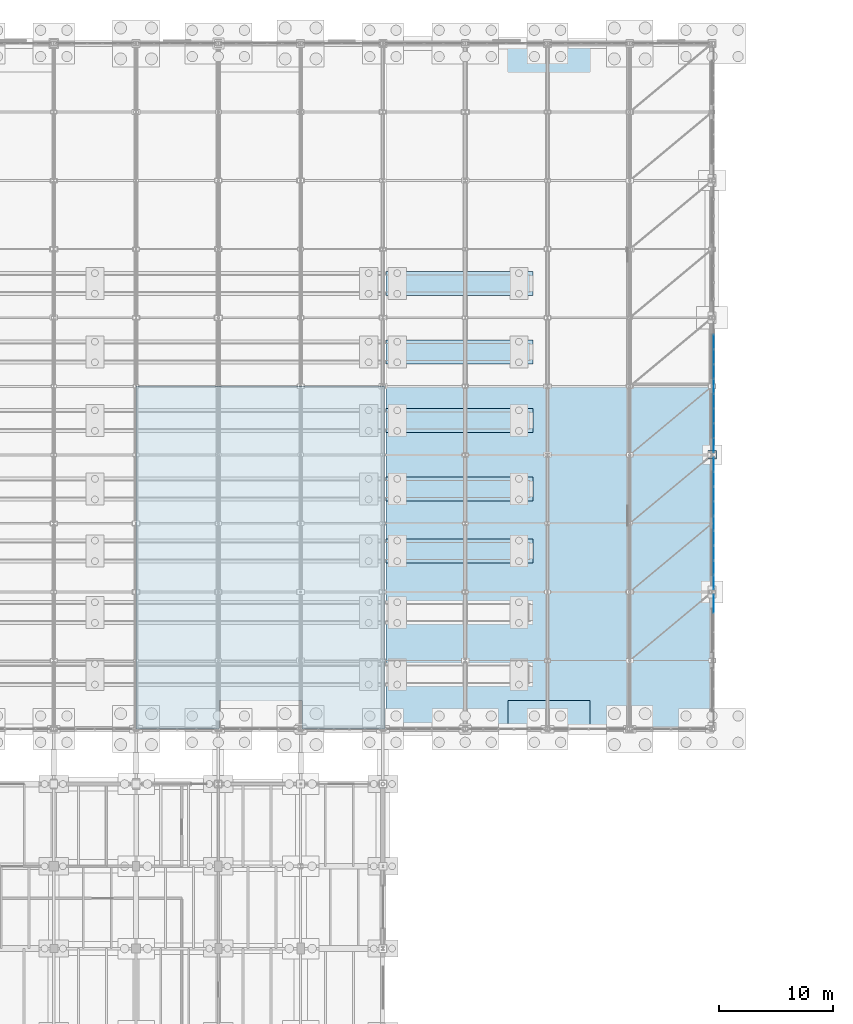
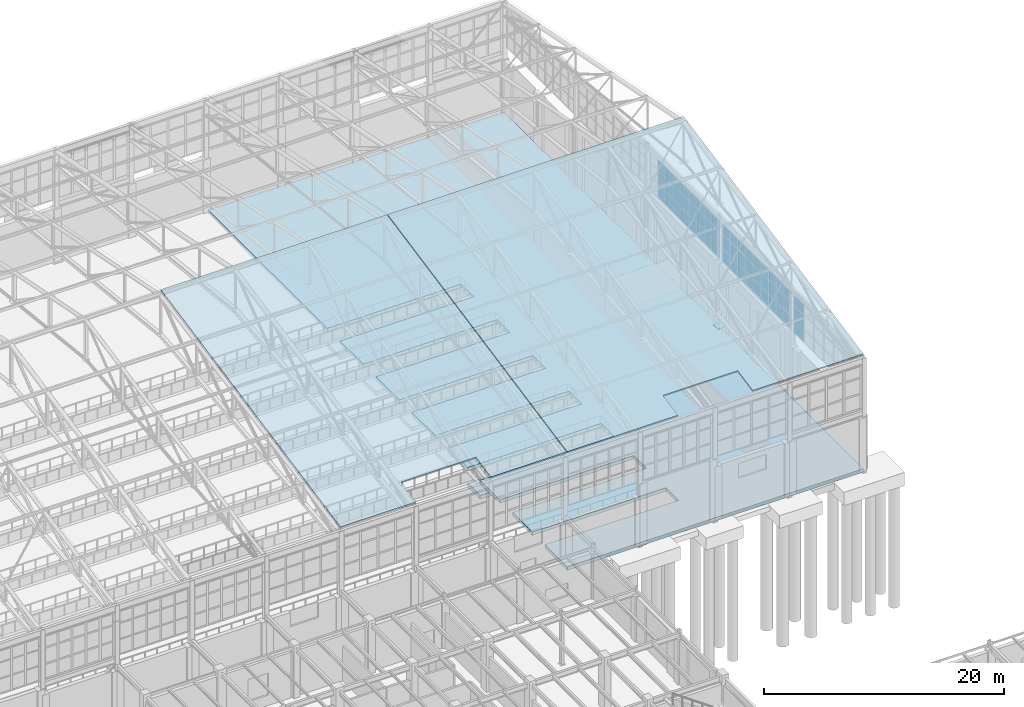
# One storey, part 247 of 293: 55 plates, 8 slabs, 3 elements without a shape of their own.
"""IFC4 building model written with IfcOpenShell, lengths in metres."""

from ifc_helpers import new_model, si_unit, direction, frame, origin, origin_2d, place, context, subcontext, project, spatial, polyline, rectangle, outline, extrude, material, layer, layer_set, type_object, element, aggregate, save


model = new_model("IFC4")

# Units and contexts
model_context = context("Model", 3, precision=1e-05, world=origin(), true_north=direction((0.0, 1.0)))
body_context = subcontext(model_context, "Body", "Model", "MODEL_VIEW")
ifc_project = project(units=[si_unit("LENGTHUNIT", "METRE"), si_unit("AREAUNIT", "SQUARE_METRE"), si_unit("VOLUMEUNIT", "CUBIC_METRE"), si_unit("PLANEANGLEUNIT", "RADIAN"), si_unit("MASSUNIT", "GRAM", prefix="KILO")], contexts=[model_context])

# Site, building, storey
site_placement = place(None, origin())
site = spatial("IfcSite", under=ifc_project, at=site_placement, CompositionType="ELEMENT")
building_placement = place(site_placement, origin())
building = spatial("IfcBuilding", under=site, at=building_placement, Name="Kemerveld Promenade Tramway Depot", CompositionType="ELEMENT")
storey_placement = place(building_placement, origin())
storey = spatial("IfcBuildingStorey", under=building, at=storey_placement, Name="L00", CompositionType="ELEMENT", Elevation=0.0)

# Curtain wall, plates
ifc_material_1 = material(Name="Bronze anodised aluminium and solar glass", Category="aluminium")
ifc_layer_1 = layer(ifc_material_1, 0.159912109375)
ifc_layer_set_1 = layer_set([ifc_layer_1], Name="CW-SYS-11")
curtain_wall_type_1 = type_object("IfcCurtainWallType", Name="CW-SYS-11", PredefinedType="USERDEFINED", material=ifc_layer_set_1)
curtain_wall_1_placement = place(storey_placement, origin())
curtain_wall_1 = element("IfcCurtainWall", 1, at=curtain_wall_1_placement, inside=storey, type_object=curtain_wall_type_1, Name="CW-V1-E-01", ObjectType="GLAZED_CURTAIN_WALL", PredefinedType="USERDEFINED")
ifc_material_2 = material(Name="Solar-control laminated double glazing", Category="glass")
ifc_layer_2 = layer(ifc_material_2, 0.028076171875)
ifc_layer_set_2 = layer_set([ifc_layer_2], Name="CW-PNL-03")
plate_type_1 = type_object("IfcPlateType", Name="CW-PNL-03", PredefinedType="CURTAIN_PANEL", material=ifc_layer_set_2)
plate_1_placement = place(storey_placement, frame((187.35009765625, 94.97216796875, 6.7099609375), z_axis=(0.0, 0.0, 1.0), x_axis=(0.0, -1.0, 0.0)))
plate_1 = element("IfcPlate", 2, at=plate_1_placement, type_object=plate_type_1, Name="CW11 panel 1.1", PredefinedType="CURTAIN_PANEL", context=body_context, shape_type="SweptSolid", body=[
    extrude(rectangle(XDim=1.55859375, YDim=0.028076171875, at=origin_2d()), origin(), (0.0, 0.0, 1.0), 1.29296875),
])
plate_2_placement = place(storey_placement, frame((187.35009765625, 94.97216796875, 8.06298828125), z_axis=(0.0, 0.0, 1.0), x_axis=(0.0, -1.0, 0.0)))
plate_2 = element("IfcPlate", 3, at=plate_2_placement, type_object=plate_type_1, Name="CW11 panel 1.2", PredefinedType="CURTAIN_PANEL", context=body_context, shape_type="SweptSolid", body=[
    extrude(rectangle(XDim=1.55859375, YDim=0.028076171875, at=origin_2d()), origin(), (0.0, 0.0, 1.0), 1.40087890625),
])
plate_3_placement = place(storey_placement, frame((187.35009765625, 94.97216796875, 9.52392578125), z_axis=(0.0, 0.0, 1.0), x_axis=(0.0, -1.0, 0.0)))
plate_3 = element("IfcPlate", 4, at=plate_3_placement, type_object=plate_type_1, Name="CW11 panel 1.3", PredefinedType="CURTAIN_PANEL", context=body_context, shape_type="SweptSolid", body=[
    extrude(rectangle(XDim=1.55859375, YDim=0.028076171875, at=origin_2d()), origin(), (0.0, 0.0, 1.0), 1.01611328125),
])
aggregate(curtain_wall_1, [plate_1, plate_2, plate_3])

ifc_layer_3 = layer(ifc_material_1, 0.199951171875)
ifc_layer_set_3 = layer_set([ifc_layer_3], Name="CW-SYS-12")
curtain_wall_type_2 = type_object("IfcCurtainWallType", Name="CW-SYS-12", PredefinedType="USERDEFINED", material=ifc_layer_set_3)
curtain_wall_2_placement = place(storey_placement, origin())
curtain_wall_2 = element("IfcCurtainWall", 5, at=curtain_wall_2_placement, inside=storey, type_object=curtain_wall_type_2, Name="CW-V1-E-02", ObjectType="GLAZED_CURTAIN_WALL", PredefinedType="USERDEFINED")
ifc_layer_4 = layer(ifc_material_2, 0.031982421875)
ifc_layer_set_4 = layer_set([ifc_layer_4], Name="CW-PNL-04")
plate_type_2 = type_object("IfcPlateType", Name="CW-PNL-04", PredefinedType="CURTAIN_PANEL", material=ifc_layer_set_4)
plate_4_placement = place(storey_placement, frame((187.35009765625, 107.1513671875, 6.71484375), z_axis=(0.0, 0.0, 1.0), x_axis=(0.0, -1.0, 0.0)))
plate_4 = element("IfcPlate", 6, at=plate_4_placement, type_object=plate_type_2, Name="CW12 panel 1.1", PredefinedType="CURTAIN_PANEL", context=body_context, shape_type="SweptSolid", body=[
    extrude(rectangle(XDim=1.18017578125, YDim=0.031982421875, at=origin_2d()), origin(), (0.0, 0.0, 1.0), 1.285400390625),
])
plate_5_placement = place(storey_placement, frame((187.35009765625, 107.1513671875, 8.0654296875), z_axis=(0.0, 0.0, 1.0), x_axis=(0.0, -1.0, 0.0)))
plate_5 = element("IfcPlate", 7, at=plate_5_placement, type_object=plate_type_2, Name="CW12 panel 1.2", PredefinedType="CURTAIN_PANEL", context=body_context, shape_type="SweptSolid", body=[
    extrude(rectangle(XDim=1.18017578125, YDim=0.031982421875, at=origin_2d()), origin(), (0.0, 0.0, 1.0), 1.39599609375),
])
plate_6_placement = place(storey_placement, frame((187.35009765625, 107.1513671875, 9.5263671875), z_axis=(0.0, 0.0, 1.0), x_axis=(0.0, -1.0, 0.0)))
plate_6 = element("IfcPlate", 8, at=plate_6_placement, type_object=plate_type_2, Name="CW12 panel 1.3", PredefinedType="CURTAIN_PANEL", context=body_context, shape_type="SweptSolid", body=[
    extrude(rectangle(XDim=1.18017578125, YDim=0.031982421875, at=origin_2d()), origin(), (0.0, 0.0, 1.0), 1.008544921875),
])
plate_7_placement = place(storey_placement, frame((187.35009765625, 105.877685546875, 6.71484375), z_axis=(0.0, 0.0, 1.0), x_axis=(0.0, -1.0, 0.0)))
plate_7 = element("IfcPlate", 9, at=plate_7_placement, type_object=plate_type_2, Name="CW12 panel 2.1", PredefinedType="CURTAIN_PANEL", context=body_context, shape_type="SweptSolid", body=[
    extrude(rectangle(XDim=1.217529296875, YDim=0.031982421875, at=origin_2d()), origin(), (0.0, 0.0, 1.0), 1.285400390625),
])
plate_8_placement = place(storey_placement, frame((187.35009765625, 105.877685546875, 8.0654296875), z_axis=(0.0, 0.0, 1.0), x_axis=(0.0, -1.0, 0.0)))
plate_8 = element("IfcPlate", 10, at=plate_8_placement, type_object=plate_type_2, Name="CW12 panel 2.2", PredefinedType="CURTAIN_PANEL", context=body_context, shape_type="SweptSolid", body=[
    extrude(rectangle(XDim=1.217529296875, YDim=0.031982421875, at=origin_2d()), origin(), (0.0, 0.0, 1.0), 1.39599609375),
])
plate_9_placement = place(storey_placement, frame((187.35009765625, 105.877685546875, 9.5263671875), z_axis=(0.0, 0.0, 1.0), x_axis=(0.0, -1.0, 0.0)))
plate_9 = element("IfcPlate", 11, at=plate_9_placement, type_object=plate_type_2, Name="CW12 panel 2.3", PredefinedType="CURTAIN_PANEL", context=body_context, shape_type="SweptSolid", body=[
    extrude(rectangle(XDim=1.217529296875, YDim=0.031982421875, at=origin_2d()), origin(), (0.0, 0.0, 1.0), 1.008544921875),
])
plate_10_placement = place(storey_placement, frame((187.35009765625, 104.585205078125, 6.71484375), z_axis=(0.0, 0.0, 1.0), x_axis=(0.0, -1.0, 0.0)))
plate_10 = element("IfcPlate", 12, at=plate_10_placement, type_object=plate_type_2, Name="CW12 panel 3.1", PredefinedType="CURTAIN_PANEL", context=body_context, shape_type="SweptSolid", body=[
    extrude(rectangle(XDim=1.217529296875, YDim=0.031982421875, at=origin_2d()), origin(), (0.0, 0.0, 1.0), 1.285400390625),
])
plate_11_placement = place(storey_placement, frame((187.35009765625, 104.585205078125, 8.0654296875), z_axis=(0.0, 0.0, 1.0), x_axis=(0.0, -1.0, 0.0)))
plate_11 = element("IfcPlate", 13, at=plate_11_placement, type_object=plate_type_2, Name="CW12 panel 3.2", PredefinedType="CURTAIN_PANEL", context=body_context, shape_type="SweptSolid", body=[
    extrude(rectangle(XDim=1.217529296875, YDim=0.031982421875, at=origin_2d()), origin(), (0.0, 0.0, 1.0), 1.39599609375),
])
plate_12_placement = place(storey_placement, frame((187.35009765625, 104.585205078125, 9.5263671875), z_axis=(0.0, 0.0, 1.0), x_axis=(0.0, -1.0, 0.0)))
plate_12 = element("IfcPlate", 14, at=plate_12_placement, type_object=plate_type_2, Name="CW12 panel 3.3", PredefinedType="CURTAIN_PANEL", context=body_context, shape_type="SweptSolid", body=[
    extrude(rectangle(XDim=1.217529296875, YDim=0.031982421875, at=origin_2d()), origin(), (0.0, 0.0, 1.0), 1.008544921875),
])
plate_13_placement = place(storey_placement, frame((187.35009765625, 103.29248046875, 6.71484375), z_axis=(0.0, 0.0, 1.0), x_axis=(0.0, -1.0, 0.0)))
plate_13 = element("IfcPlate", 15, at=plate_13_placement, type_object=plate_type_2, Name="CW12 panel 4.1", PredefinedType="CURTAIN_PANEL", context=body_context, shape_type="SweptSolid", body=[
    extrude(rectangle(XDim=1.217529296875, YDim=0.031982421875, at=origin_2d()), origin(), (0.0, 0.0, 1.0), 1.285400390625),
])
plate_14_placement = place(storey_placement, frame((187.35009765625, 103.29248046875, 8.0654296875), z_axis=(0.0, 0.0, 1.0), x_axis=(0.0, -1.0, 0.0)))
plate_14 = element("IfcPlate", 16, at=plate_14_placement, type_object=plate_type_2, Name="CW12 panel 4.2", PredefinedType="CURTAIN_PANEL", context=body_context, shape_type="SweptSolid", body=[
    extrude(rectangle(XDim=1.217529296875, YDim=0.031982421875, at=origin_2d()), origin(), (0.0, 0.0, 1.0), 1.39599609375),
])
plate_15_placement = place(storey_placement, frame((187.35009765625, 103.29248046875, 9.5263671875), z_axis=(0.0, 0.0, 1.0), x_axis=(0.0, -1.0, 0.0)))
plate_15 = element("IfcPlate", 17, at=plate_15_placement, type_object=plate_type_2, Name="CW12 panel 4.3", PredefinedType="CURTAIN_PANEL", context=body_context, shape_type="SweptSolid", body=[
    extrude(rectangle(XDim=1.217529296875, YDim=0.031982421875, at=origin_2d()), origin(), (0.0, 0.0, 1.0), 1.008544921875),
])
plate_16_placement = place(storey_placement, frame((187.35009765625, 102.0, 6.71484375), z_axis=(0.0, 0.0, 1.0), x_axis=(0.0, -1.0, 0.0)))
plate_16 = element("IfcPlate", 18, at=plate_16_placement, type_object=plate_type_2, Name="CW12 panel 5.1", PredefinedType="CURTAIN_PANEL", context=body_context, shape_type="SweptSolid", body=[
    extrude(rectangle(XDim=1.217529296875, YDim=0.031982421875, at=origin_2d()), origin(), (0.0, 0.0, 1.0), 1.285400390625),
])
plate_17_placement = place(storey_placement, frame((187.35009765625, 102.0, 8.0654296875), z_axis=(0.0, 0.0, 1.0), x_axis=(0.0, -1.0, 0.0)))
plate_17 = element("IfcPlate", 19, at=plate_17_placement, type_object=plate_type_2, Name="CW12 panel 5.2", PredefinedType="CURTAIN_PANEL", context=body_context, shape_type="SweptSolid", body=[
    extrude(rectangle(XDim=1.217529296875, YDim=0.031982421875, at=origin_2d()), origin(), (0.0, 0.0, 1.0), 1.39599609375),
])
plate_18_placement = place(storey_placement, frame((187.35009765625, 102.0, 9.5263671875), z_axis=(0.0, 0.0, 1.0), x_axis=(0.0, -1.0, 0.0)))
plate_18 = element("IfcPlate", 20, at=plate_18_placement, type_object=plate_type_2, Name="CW12 panel 5.3", PredefinedType="CURTAIN_PANEL", context=body_context, shape_type="SweptSolid", body=[
    extrude(rectangle(XDim=1.217529296875, YDim=0.031982421875, at=origin_2d()), origin(), (0.0, 0.0, 1.0), 1.008544921875),
])
plate_19_placement = place(storey_placement, frame((187.35009765625, 100.70751953125, 6.71484375), z_axis=(0.0, 0.0, 1.0), x_axis=(0.0, -1.0, 0.0)))
plate_19 = element("IfcPlate", 21, at=plate_19_placement, type_object=plate_type_2, Name="CW12 panel 6.1", PredefinedType="CURTAIN_PANEL", context=body_context, shape_type="SweptSolid", body=[
    extrude(rectangle(XDim=1.217529296875, YDim=0.031982421875, at=origin_2d()), origin(), (0.0, 0.0, 1.0), 1.285400390625),
])
plate_20_placement = place(storey_placement, frame((187.35009765625, 100.70751953125, 8.0654296875), z_axis=(0.0, 0.0, 1.0), x_axis=(0.0, -1.0, 0.0)))
plate_20 = element("IfcPlate", 22, at=plate_20_placement, type_object=plate_type_2, Name="CW12 panel 6.2", PredefinedType="CURTAIN_PANEL", context=body_context, shape_type="SweptSolid", body=[
    extrude(rectangle(XDim=1.217529296875, YDim=0.031982421875, at=origin_2d()), origin(), (0.0, 0.0, 1.0), 1.39599609375),
])
plate_21_placement = place(storey_placement, frame((187.35009765625, 100.70751953125, 9.5263671875), z_axis=(0.0, 0.0, 1.0), x_axis=(0.0, -1.0, 0.0)))
plate_21 = element("IfcPlate", 23, at=plate_21_placement, type_object=plate_type_2, Name="CW12 panel 6.3", PredefinedType="CURTAIN_PANEL", context=body_context, shape_type="SweptSolid", body=[
    extrude(rectangle(XDim=1.217529296875, YDim=0.031982421875, at=origin_2d()), origin(), (0.0, 0.0, 1.0), 1.008544921875),
])
plate_22_placement = place(storey_placement, frame((187.35009765625, 99.414794921875, 6.71484375), z_axis=(0.0, 0.0, 1.0), x_axis=(0.0, -1.0, 0.0)))
plate_22 = element("IfcPlate", 24, at=plate_22_placement, type_object=plate_type_2, Name="CW12 panel 7.1", PredefinedType="CURTAIN_PANEL", context=body_context, shape_type="SweptSolid", body=[
    extrude(rectangle(XDim=1.217529296875, YDim=0.031982421875, at=origin_2d()), origin(), (0.0, 0.0, 1.0), 1.285400390625),
])
plate_23_placement = place(storey_placement, frame((187.35009765625, 99.414794921875, 8.0654296875), z_axis=(0.0, 0.0, 1.0), x_axis=(0.0, -1.0, 0.0)))
plate_23 = element("IfcPlate", 25, at=plate_23_placement, type_object=plate_type_2, Name="CW12 panel 7.2", PredefinedType="CURTAIN_PANEL", context=body_context, shape_type="SweptSolid", body=[
    extrude(rectangle(XDim=1.217529296875, YDim=0.031982421875, at=origin_2d()), origin(), (0.0, 0.0, 1.0), 1.39599609375),
])
plate_24_placement = place(storey_placement, frame((187.35009765625, 99.414794921875, 9.5263671875), z_axis=(0.0, 0.0, 1.0), x_axis=(0.0, -1.0, 0.0)))
plate_24 = element("IfcPlate", 26, at=plate_24_placement, type_object=plate_type_2, Name="CW12 panel 7.3", PredefinedType="CURTAIN_PANEL", context=body_context, shape_type="SweptSolid", body=[
    extrude(rectangle(XDim=1.217529296875, YDim=0.031982421875, at=origin_2d()), origin(), (0.0, 0.0, 1.0), 1.008544921875),
])
plate_25_placement = place(storey_placement, frame((187.35009765625, 98.122314453125, 6.71484375), z_axis=(0.0, 0.0, 1.0), x_axis=(0.0, -1.0, 0.0)))
plate_25 = element("IfcPlate", 27, at=plate_25_placement, type_object=plate_type_2, Name="CW12 panel 8.1", PredefinedType="CURTAIN_PANEL", context=body_context, shape_type="SweptSolid", body=[
    extrude(rectangle(XDim=1.217529296875, YDim=0.031982421875, at=origin_2d()), origin(), (0.0, 0.0, 1.0), 1.285400390625),
])
plate_26_placement = place(storey_placement, frame((187.35009765625, 98.122314453125, 8.0654296875), z_axis=(0.0, 0.0, 1.0), x_axis=(0.0, -1.0, 0.0)))
plate_26 = element("IfcPlate", 28, at=plate_26_placement, type_object=plate_type_2, Name="CW12 panel 8.2", PredefinedType="CURTAIN_PANEL", context=body_context, shape_type="SweptSolid", body=[
    extrude(rectangle(XDim=1.217529296875, YDim=0.031982421875, at=origin_2d()), origin(), (0.0, 0.0, 1.0), 1.39599609375),
])
plate_27_placement = place(storey_placement, frame((187.35009765625, 98.122314453125, 9.5263671875), z_axis=(0.0, 0.0, 1.0), x_axis=(0.0, -1.0, 0.0)))
plate_27 = element("IfcPlate", 29, at=plate_27_placement, type_object=plate_type_2, Name="CW12 panel 8.3", PredefinedType="CURTAIN_PANEL", context=body_context, shape_type="SweptSolid", body=[
    extrude(rectangle(XDim=1.217529296875, YDim=0.031982421875, at=origin_2d()), origin(), (0.0, 0.0, 1.0), 1.008544921875),
])
plate_28_placement = place(storey_placement, frame((187.35009765625, 96.8486328125, 6.71484375), z_axis=(0.0, 0.0, 1.0), x_axis=(0.0, -1.0, 0.0)))
plate_28 = element("IfcPlate", 30, at=plate_28_placement, type_object=plate_type_2, Name="CW12 panel 9.1", PredefinedType="CURTAIN_PANEL", context=body_context, shape_type="SweptSolid", body=[
    extrude(rectangle(XDim=1.18017578125, YDim=0.031982421875, at=origin_2d()), origin(), (0.0, 0.0, 1.0), 1.285400390625),
])
plate_29_placement = place(storey_placement, frame((187.35009765625, 96.8486328125, 8.0654296875), z_axis=(0.0, 0.0, 1.0), x_axis=(0.0, -1.0, 0.0)))
plate_29 = element("IfcPlate", 31, at=plate_29_placement, type_object=plate_type_2, Name="CW12 panel 9.2", PredefinedType="CURTAIN_PANEL", context=body_context, shape_type="SweptSolid", body=[
    extrude(rectangle(XDim=1.18017578125, YDim=0.031982421875, at=origin_2d()), origin(), (0.0, 0.0, 1.0), 1.39599609375),
])
plate_30_placement = place(storey_placement, frame((187.35009765625, 96.8486328125, 9.5263671875), z_axis=(0.0, 0.0, 1.0), x_axis=(0.0, -1.0, 0.0)))
plate_30 = element("IfcPlate", 32, at=plate_30_placement, type_object=plate_type_2, Name="CW12 panel 9.3", PredefinedType="CURTAIN_PANEL", context=body_context, shape_type="SweptSolid", body=[
    extrude(rectangle(XDim=1.18017578125, YDim=0.031982421875, at=origin_2d()), origin(), (0.0, 0.0, 1.0), 1.008544921875),
])
aggregate(curtain_wall_2, [plate_4, plate_5, plate_6, plate_7, plate_8, plate_9, plate_10, plate_11, plate_12, plate_13, plate_14, plate_15, plate_16, plate_17, plate_18, plate_19, plate_20, plate_21, plate_22, plate_23, plate_24, plate_25, plate_26, plate_27, plate_28, plate_29, plate_30])

ifc_layer_5 = layer(ifc_material_1, 0.159912109375)
ifc_layer_set_5 = layer_set([ifc_layer_5], Name="CW-SYS-13")
curtain_wall_type_3 = type_object("IfcCurtainWallType", Name="CW-SYS-13", PredefinedType="USERDEFINED", material=ifc_layer_set_5)
curtain_wall_3_placement = place(storey_placement, origin())
curtain_wall_3 = element("IfcCurtainWall", 33, at=curtain_wall_3_placement, inside=storey, type_object=curtain_wall_type_3, Name="CW-V1-E-03", ObjectType="GLAZED_CURTAIN_WALL", PredefinedType="USERDEFINED")
ifc_layer_6 = layer(ifc_material_2, 0.031982421875)
ifc_layer_set_6 = layer_set([ifc_layer_6], Name="CW-PNL-05")
plate_type_3 = type_object("IfcPlateType", Name="CW-PNL-05", PredefinedType="CURTAIN_PANEL", material=ifc_layer_set_6)
plate_31_placement = place(storey_placement, frame((187.35009765625, 117.877685546875, 6.7099609375), z_axis=(0.0, 0.0, 1.0), x_axis=(0.0, -1.0, 0.0)))
plate_31 = element("IfcPlate", 34, at=plate_31_placement, type_object=plate_type_3, Name="CW13 panel 2.1", PredefinedType="CURTAIN_PANEL", context=body_context, shape_type="SweptSolid", body=[
    extrude(rectangle(XDim=1.2275390625, YDim=0.031982421875, at=origin_2d()), origin(), (0.0, 0.0, 1.0), 1.29296875),
])
plate_32_placement = place(storey_placement, frame((187.35009765625, 117.877685546875, 8.06298828125), z_axis=(0.0, 0.0, 1.0), x_axis=(0.0, -1.0, 0.0)))
plate_32 = element("IfcPlate", 35, at=plate_32_placement, type_object=plate_type_3, Name="CW13 panel 2.2", PredefinedType="CURTAIN_PANEL", context=body_context, shape_type="SweptSolid", body=[
    extrude(rectangle(XDim=1.2275390625, YDim=0.031982421875, at=origin_2d()), origin(), (0.0, 0.0, 1.0), 1.40087890625),
])
plate_33_placement = place(storey_placement, frame((187.35009765625, 117.877685546875, 9.52392578125), z_axis=(0.0, 0.0, 1.0), x_axis=(0.0, -1.0, 0.0)))
plate_33 = element("IfcPlate", 36, at=plate_33_placement, type_object=plate_type_3, Name="CW13 panel 2.3", PredefinedType="CURTAIN_PANEL", context=body_context, shape_type="SweptSolid", body=[
    extrude(rectangle(XDim=1.2275390625, YDim=0.031982421875, at=origin_2d()), origin(), (0.0, 0.0, 1.0), 1.01611328125),
])
plate_34_placement = place(storey_placement, frame((187.35009765625, 116.585205078125, 6.7099609375), z_axis=(0.0, 0.0, 1.0), x_axis=(0.0, -1.0, 0.0)))
plate_34 = element("IfcPlate", 37, at=plate_34_placement, type_object=plate_type_3, Name="CW13 panel 3.1", PredefinedType="CURTAIN_PANEL", context=body_context, shape_type="SweptSolid", body=[
    extrude(rectangle(XDim=1.2275390625, YDim=0.031982421875, at=origin_2d()), origin(), (0.0, 0.0, 1.0), 1.29296875),
])
plate_35_placement = place(storey_placement, frame((187.35009765625, 116.585205078125, 8.06298828125), z_axis=(0.0, 0.0, 1.0), x_axis=(0.0, -1.0, 0.0)))
plate_35 = element("IfcPlate", 38, at=plate_35_placement, type_object=plate_type_3, Name="CW13 panel 3.2", PredefinedType="CURTAIN_PANEL", context=body_context, shape_type="SweptSolid", body=[
    extrude(rectangle(XDim=1.2275390625, YDim=0.031982421875, at=origin_2d()), origin(), (0.0, 0.0, 1.0), 1.40087890625),
])
plate_36_placement = place(storey_placement, frame((187.35009765625, 116.585205078125, 9.52392578125), z_axis=(0.0, 0.0, 1.0), x_axis=(0.0, -1.0, 0.0)))
plate_36 = element("IfcPlate", 39, at=plate_36_placement, type_object=plate_type_3, Name="CW13 panel 3.3", PredefinedType="CURTAIN_PANEL", context=body_context, shape_type="SweptSolid", body=[
    extrude(rectangle(XDim=1.2275390625, YDim=0.031982421875, at=origin_2d()), origin(), (0.0, 0.0, 1.0), 1.01611328125),
])
plate_37_placement = place(storey_placement, frame((187.35009765625, 115.29248046875, 6.7099609375), z_axis=(0.0, 0.0, 1.0), x_axis=(0.0, -1.0, 0.0)))
plate_37 = element("IfcPlate", 40, at=plate_37_placement, type_object=plate_type_3, Name="CW13 panel 4.1", PredefinedType="CURTAIN_PANEL", context=body_context, shape_type="SweptSolid", body=[
    extrude(rectangle(XDim=1.2275390625, YDim=0.031982421875, at=origin_2d()), origin(), (0.0, 0.0, 1.0), 1.29296875),
])
plate_38_placement = place(storey_placement, frame((187.35009765625, 115.29248046875, 8.06298828125), z_axis=(0.0, 0.0, 1.0), x_axis=(0.0, -1.0, 0.0)))
plate_38 = element("IfcPlate", 41, at=plate_38_placement, type_object=plate_type_3, Name="CW13 panel 4.2", PredefinedType="CURTAIN_PANEL", context=body_context, shape_type="SweptSolid", body=[
    extrude(rectangle(XDim=1.2275390625, YDim=0.031982421875, at=origin_2d()), origin(), (0.0, 0.0, 1.0), 1.40087890625),
])
plate_39_placement = place(storey_placement, frame((187.35009765625, 115.29248046875, 9.52392578125), z_axis=(0.0, 0.0, 1.0), x_axis=(0.0, -1.0, 0.0)))
plate_39 = element("IfcPlate", 42, at=plate_39_placement, type_object=plate_type_3, Name="CW13 panel 4.3", PredefinedType="CURTAIN_PANEL", context=body_context, shape_type="SweptSolid", body=[
    extrude(rectangle(XDim=1.2275390625, YDim=0.031982421875, at=origin_2d()), origin(), (0.0, 0.0, 1.0), 1.01611328125),
])
plate_40_placement = place(storey_placement, frame((187.35009765625, 114.0, 6.7099609375), z_axis=(0.0, 0.0, 1.0), x_axis=(0.0, -1.0, 0.0)))
plate_40 = element("IfcPlate", 43, at=plate_40_placement, type_object=plate_type_3, Name="CW13 panel 5.1", PredefinedType="CURTAIN_PANEL", context=body_context, shape_type="SweptSolid", body=[
    extrude(rectangle(XDim=1.2275390625, YDim=0.031982421875, at=origin_2d()), origin(), (0.0, 0.0, 1.0), 1.29296875),
])
plate_41_placement = place(storey_placement, frame((187.35009765625, 114.0, 8.06298828125), z_axis=(0.0, 0.0, 1.0), x_axis=(0.0, -1.0, 0.0)))
plate_41 = element("IfcPlate", 44, at=plate_41_placement, type_object=plate_type_3, Name="CW13 panel 5.2", PredefinedType="CURTAIN_PANEL", context=body_context, shape_type="SweptSolid", body=[
    extrude(rectangle(XDim=1.2275390625, YDim=0.031982421875, at=origin_2d()), origin(), (0.0, 0.0, 1.0), 1.40087890625),
])
plate_42_placement = place(storey_placement, frame((187.35009765625, 114.0, 9.52392578125), z_axis=(0.0, 0.0, 1.0), x_axis=(0.0, -1.0, 0.0)))
plate_42 = element("IfcPlate", 45, at=plate_42_placement, type_object=plate_type_3, Name="CW13 panel 5.3", PredefinedType="CURTAIN_PANEL", context=body_context, shape_type="SweptSolid", body=[
    extrude(rectangle(XDim=1.2275390625, YDim=0.031982421875, at=origin_2d()), origin(), (0.0, 0.0, 1.0), 1.01611328125),
])
plate_43_placement = place(storey_placement, frame((187.35009765625, 112.70751953125, 6.7099609375), z_axis=(0.0, 0.0, 1.0), x_axis=(0.0, -1.0, 0.0)))
plate_43 = element("IfcPlate", 46, at=plate_43_placement, type_object=plate_type_3, Name="CW13 panel 6.1", PredefinedType="CURTAIN_PANEL", context=body_context, shape_type="SweptSolid", body=[
    extrude(rectangle(XDim=1.2275390625, YDim=0.031982421875, at=origin_2d()), origin(), (0.0, 0.0, 1.0), 1.29296875),
])
plate_44_placement = place(storey_placement, frame((187.35009765625, 112.70751953125, 8.06298828125), z_axis=(0.0, 0.0, 1.0), x_axis=(0.0, -1.0, 0.0)))
plate_44 = element("IfcPlate", 47, at=plate_44_placement, type_object=plate_type_3, Name="CW13 panel 6.2", PredefinedType="CURTAIN_PANEL", context=body_context, shape_type="SweptSolid", body=[
    extrude(rectangle(XDim=1.2275390625, YDim=0.031982421875, at=origin_2d()), origin(), (0.0, 0.0, 1.0), 1.40087890625),
])
plate_45_placement = place(storey_placement, frame((187.35009765625, 112.70751953125, 9.52392578125), z_axis=(0.0, 0.0, 1.0), x_axis=(0.0, -1.0, 0.0)))
plate_45 = element("IfcPlate", 48, at=plate_45_placement, type_object=plate_type_3, Name="CW13 panel 6.3", PredefinedType="CURTAIN_PANEL", context=body_context, shape_type="SweptSolid", body=[
    extrude(rectangle(XDim=1.2275390625, YDim=0.031982421875, at=origin_2d()), origin(), (0.0, 0.0, 1.0), 1.01611328125),
])
plate_46_placement = place(storey_placement, frame((187.35009765625, 111.414794921875, 6.7099609375), z_axis=(0.0, 0.0, 1.0), x_axis=(0.0, -1.0, 0.0)))
plate_46 = element("IfcPlate", 49, at=plate_46_placement, type_object=plate_type_3, Name="CW13 panel 7.1", PredefinedType="CURTAIN_PANEL", context=body_context, shape_type="SweptSolid", body=[
    extrude(rectangle(XDim=1.2275390625, YDim=0.031982421875, at=origin_2d()), origin(), (0.0, 0.0, 1.0), 1.29296875),
])
plate_47_placement = place(storey_placement, frame((187.35009765625, 111.414794921875, 8.06298828125), z_axis=(0.0, 0.0, 1.0), x_axis=(0.0, -1.0, 0.0)))
plate_47 = element("IfcPlate", 50, at=plate_47_placement, type_object=plate_type_3, Name="CW13 panel 7.2", PredefinedType="CURTAIN_PANEL", context=body_context, shape_type="SweptSolid", body=[
    extrude(rectangle(XDim=1.2275390625, YDim=0.031982421875, at=origin_2d()), origin(), (0.0, 0.0, 1.0), 1.40087890625),
])
plate_48_placement = place(storey_placement, frame((187.35009765625, 111.414794921875, 9.52392578125), z_axis=(0.0, 0.0, 1.0), x_axis=(0.0, -1.0, 0.0)))
plate_48 = element("IfcPlate", 51, at=plate_48_placement, type_object=plate_type_3, Name="CW13 panel 7.3", PredefinedType="CURTAIN_PANEL", context=body_context, shape_type="SweptSolid", body=[
    extrude(rectangle(XDim=1.2275390625, YDim=0.031982421875, at=origin_2d()), origin(), (0.0, 0.0, 1.0), 1.01611328125),
])
plate_49_placement = place(storey_placement, frame((187.35009765625, 110.122314453125, 6.7099609375), z_axis=(0.0, 0.0, 1.0), x_axis=(0.0, -1.0, 0.0)))
plate_49 = element("IfcPlate", 52, at=plate_49_placement, type_object=plate_type_3, Name="CW13 panel 8.1", PredefinedType="CURTAIN_PANEL", context=body_context, shape_type="SweptSolid", body=[
    extrude(rectangle(XDim=1.2275390625, YDim=0.031982421875, at=origin_2d()), origin(), (0.0, 0.0, 1.0), 1.29296875),
])
plate_50_placement = place(storey_placement, frame((187.35009765625, 110.122314453125, 8.06298828125), z_axis=(0.0, 0.0, 1.0), x_axis=(0.0, -1.0, 0.0)))
plate_50 = element("IfcPlate", 53, at=plate_50_placement, type_object=plate_type_3, Name="CW13 panel 8.2", PredefinedType="CURTAIN_PANEL", context=body_context, shape_type="SweptSolid", body=[
    extrude(rectangle(XDim=1.2275390625, YDim=0.031982421875, at=origin_2d()), origin(), (0.0, 0.0, 1.0), 1.40087890625),
])
plate_51_placement = place(storey_placement, frame((187.35009765625, 110.122314453125, 9.52392578125), z_axis=(0.0, 0.0, 1.0), x_axis=(0.0, -1.0, 0.0)))
plate_51 = element("IfcPlate", 54, at=plate_51_placement, type_object=plate_type_3, Name="CW13 panel 8.3", PredefinedType="CURTAIN_PANEL", context=body_context, shape_type="SweptSolid", body=[
    extrude(rectangle(XDim=1.2275390625, YDim=0.031982421875, at=origin_2d()), origin(), (0.0, 0.0, 1.0), 1.01611328125),
])
plate_52_placement = place(storey_placement, frame((187.35009765625, 108.845947265625, 6.7099609375), z_axis=(0.0, 0.0, 1.0), x_axis=(0.0, -1.0, 0.0)))
plate_52 = element("IfcPlate", 55, at=plate_52_placement, type_object=plate_type_3, Name="CW13 panel 9.1", PredefinedType="CURTAIN_PANEL", context=body_context, shape_type="SweptSolid", body=[
    extrude(rectangle(XDim=1.195068359375, YDim=0.031982421875, at=origin_2d()), origin(), (0.0, 0.0, 1.0), 1.29296875),
])
plate_53_placement = place(storey_placement, frame((187.35009765625, 108.845947265625, 8.06298828125), z_axis=(0.0, 0.0, 1.0), x_axis=(0.0, -1.0, 0.0)))
plate_53 = element("IfcPlate", 56, at=plate_53_placement, type_object=plate_type_3, Name="CW13 panel 9.2", PredefinedType="CURTAIN_PANEL", context=body_context, shape_type="SweptSolid", body=[
    extrude(rectangle(XDim=1.195068359375, YDim=0.031982421875, at=origin_2d()), origin(), (0.0, 0.0, 1.0), 1.40087890625),
])
plate_54_placement = place(storey_placement, frame((187.35009765625, 108.845947265625, 9.52392578125), z_axis=(0.0, 0.0, 1.0), x_axis=(0.0, -1.0, 0.0)))
plate_54 = element("IfcPlate", 57, at=plate_54_placement, type_object=plate_type_3, Name="CW13 panel 9.3", PredefinedType="CURTAIN_PANEL", context=body_context, shape_type="SweptSolid", body=[
    extrude(rectangle(XDim=1.195068359375, YDim=0.031982421875, at=origin_2d()), origin(), (0.0, 0.0, 1.0), 1.01611328125),
])
aggregate(curtain_wall_3, [plate_31, plate_32, plate_33, plate_34, plate_35, plate_36, plate_37, plate_38, plate_39, plate_40, plate_41, plate_42, plate_43, plate_44, plate_45, plate_46, plate_47, plate_48, plate_49, plate_50, plate_51, plate_52, plate_53, plate_54])

# Plate
ifc_material_3 = material(Name="Steel S355", Category="steel")
ifc_layer_7 = layer(ifc_material_3, 0.034912109375)
ifc_layer_set_7 = layer_set([ifc_layer_7], Name="PL-BP04")
plate_type_4 = type_object("IfcPlateType", Name="PL-BP04", PredefinedType="USERDEFINED", material=ifc_layer_set_7)
plate_55_placement = place(storey_placement, frame((187.199951171875, 108.0, 0.0), z_axis=(0.0, 0.0, 1.0), x_axis=(1.0, 0.0, 0.0)))
element("IfcPlate", 58, at=plate_55_placement, inside=storey, type_object=plate_type_4, Name="BP-27-Q", ObjectType="BASE_PLATE", PredefinedType="USERDEFINED", context=body_context, shape_type="SweptSolid", body=[
    extrude(rectangle(XDim=0.75, YDim=0.75, at=origin_2d()), origin(), (0.0, 0.0, 1.0), 0.034912109375),
])

# Slabs
ifc_material_4 = material(Name="Concrete C35/45", Category="concrete")
ifc_layer_8 = layer(ifc_material_4, 0.35009765625)
ifc_layer_set_8 = layer_set([ifc_layer_8], Name="SL-BS01")
slab_type_1 = type_object("IfcSlabType", Name="SL-BS01", PredefinedType="BASESLAB", material=ifc_layer_set_8)
slab_1_placement = place(storey_placement, frame((0.0, 0.0, -0.35009765625)))
element("IfcSlab", 59, at=slab_1_placement, inside=storey, type_object=slab_type_1, Name="SLB-L00-V1E", PredefinedType="BASESLAB", context=body_context, shape_type="SweptSolid", body=[
    extrude(outline(polyline([(187.199951171875, 144.0), (187.199951171875, 84.0), (158.659912109375, 84.0), (158.659912109375, 87.75), (171.550048828125, 87.75), (171.550048828125, 89.85009765625), (158.659912109375, 89.85009765625), (158.659912109375, 93.14990234375), (171.550048828125, 93.14990234375), (171.550048828125, 95.25), (158.659912109375, 95.25), (158.659912109375, 98.550048828125), (171.550048828125, 98.550048828125), (171.550048828125, 100.64990234375), (158.659912109375, 100.64990234375), (158.659912109375, 103.949951171875), (171.550048828125, 103.949951171875), (171.550048828125, 106.050048828125), (158.659912109375, 106.050048828125), (158.659912109375, 109.949951171875), (171.550048828125, 109.949951171875), (171.550048828125, 112.050048828125), (158.659912109375, 112.050048828125), (158.659912109375, 115.949951171875), (171.550048828125, 115.949951171875), (171.550048828125, 118.050048828125), (158.659912109375, 118.050048828125), (158.659912109375, 121.949951171875), (171.550048828125, 121.949951171875), (171.550048828125, 124.050048828125), (158.659912109375, 124.050048828125), (158.659912109375, 144.0), (187.199951171875, 144.0)])), origin(), (0.0, 0.0, 1.0), 0.35009765625),
])
ifc_material_5 = material(Name="Concrete C40/50", Category="concrete")
ifc_layer_9 = layer(ifc_material_5, 0.39990234375)
ifc_layer_set_9 = layer_set([ifc_layer_9], Name="SL-BS03")
slab_type_2 = type_object("IfcSlabType", Name="SL-BS03", PredefinedType="BASESLAB", material=ifc_layer_set_9)
slab_2_placement = place(storey_placement, frame((0.0, 0.0, -1.949951171875)))
element("IfcSlab", 60, at=slab_2_placement, inside=storey, type_object=slab_type_2, Name="SLB-PIT-03-E", PredefinedType="BASESLAB", context=body_context, shape_type="SweptSolid", body=[
    extrude(outline(polyline([(158.659912109375, 98.550048828125), (171.550048828125, 98.550048828125), (171.550048828125, 100.64990234375), (158.659912109375, 100.64990234375), (158.659912109375, 98.550048828125)])), origin(), (0.0, 0.0, 1.0), 0.39990234375),
])
slab_3_placement = place(storey_placement, frame((0.0, 0.0, -1.949951171875)))
element("IfcSlab", 61, at=slab_3_placement, inside=storey, type_object=slab_type_2, Name="SLB-PIT-04-E", PredefinedType="BASESLAB", context=body_context, shape_type="SweptSolid", body=[
    extrude(outline(polyline([(158.659912109375, 103.949951171875), (171.550048828125, 103.949951171875), (171.550048828125, 106.050048828125), (158.659912109375, 106.050048828125), (158.659912109375, 103.949951171875)])), origin(), (0.0, 0.0, 1.0), 0.39990234375),
])
slab_4_placement = place(storey_placement, frame((0.0, 0.0, -1.949951171875)))
element("IfcSlab", 62, at=slab_4_placement, inside=storey, type_object=slab_type_2, Name="SLB-PIT-05-E", PredefinedType="BASESLAB", context=body_context, shape_type="SweptSolid", body=[
    extrude(outline(polyline([(158.659912109375, 109.949951171875), (171.550048828125, 109.949951171875), (171.550048828125, 112.050048828125), (158.659912109375, 112.050048828125), (158.659912109375, 109.949951171875)])), origin(), (0.0, 0.0, 1.0), 0.39990234375),
])
slab_5_placement = place(storey_placement, frame((0.0, 0.0, -1.949951171875)))
element("IfcSlab", 63, at=slab_5_placement, inside=storey, type_object=slab_type_2, Name="SLB-PIT-06-E", PredefinedType="BASESLAB", context=body_context, shape_type="SweptSolid", body=[
    extrude(outline(polyline([(158.659912109375, 115.949951171875), (171.550048828125, 115.949951171875), (171.550048828125, 118.050048828125), (158.659912109375, 118.050048828125), (158.659912109375, 115.949951171875)])), origin(), (0.0, 0.0, 1.0), 0.39990234375),
])
slab_6_placement = place(storey_placement, frame((0.0, 0.0, -1.949951171875)))
element("IfcSlab", 64, at=slab_6_placement, inside=storey, type_object=slab_type_2, Name="SLB-PIT-07-E", PredefinedType="BASESLAB", context=body_context, shape_type="SweptSolid", body=[
    extrude(outline(polyline([(158.659912109375, 121.949951171875), (171.550048828125, 121.949951171875), (171.550048828125, 124.050048828125), (158.659912109375, 124.050048828125), (158.659912109375, 121.949951171875)])), origin(), (0.0, 0.0, 1.0), 0.39990234375),
])
ifc_layer_10 = layer(ifc_material_4, 0.159912109375)
ifc_layer_set_10 = layer_set([ifc_layer_10], Name="SL-RF02")
slab_type_3 = type_object("IfcSlabType", Name="SL-RF02", PredefinedType="ROOF", material=ifc_layer_set_10)
slab_7_placement = place(storey_placement, frame((136.800048828125, 84.0, 11.719970703125), z_axis=(0.0, -0.196116135138, 0.980580675691), x_axis=(1.0, 0.0, 0.0)))
element("IfcSlab", 65, at=slab_7_placement, inside=storey, type_object=slab_type_3, Name="SLB-RF-V1S-S5", PredefinedType="ROOF", context=body_context, shape_type="SweptSolid", body=[
    extrude(outline(polyline([(0.0, 0.0), (7.300048828125, 0.0), (7.300048828125, 2.5495097567963922), (14.5, 2.5495097567963922), (14.5, 0.0), (21.800048828125, 0.0), (21.800048828125, 30.594117081556707), (0.0, 30.594117081556707), (0.0, 0.0)])), origin(), (0.0, 0.0, -1.0), 0.159912109375),
])
slab_8_placement = place(storey_placement, frame((158.659912109375, 84.0, 11.719970703125), z_axis=(0.0, -0.196116135138, 0.980580675691), x_axis=(1.0, 0.0, 0.0)))
element("IfcSlab", 66, at=slab_8_placement, inside=storey, type_object=slab_type_3, Name="SLB-RF-V1S-S6", PredefinedType="ROOF", context=body_context, shape_type="SweptSolid", body=[
    extrude(outline(polyline([(0.0, 0.0), (10.670166015625, 0.0), (10.670166015625, 2.5495097567963927), (17.8701171875, 2.5495097567963927), (17.8701171875, 0.0), (28.5400390625, 0.0), (28.5400390625, 30.59411708155671), (0.0, 30.59411708155671), (0.0, 0.0)])), origin(), (0.0, 0.0, -1.0), 0.159912109375),
])

save(model, "model.ifc")
